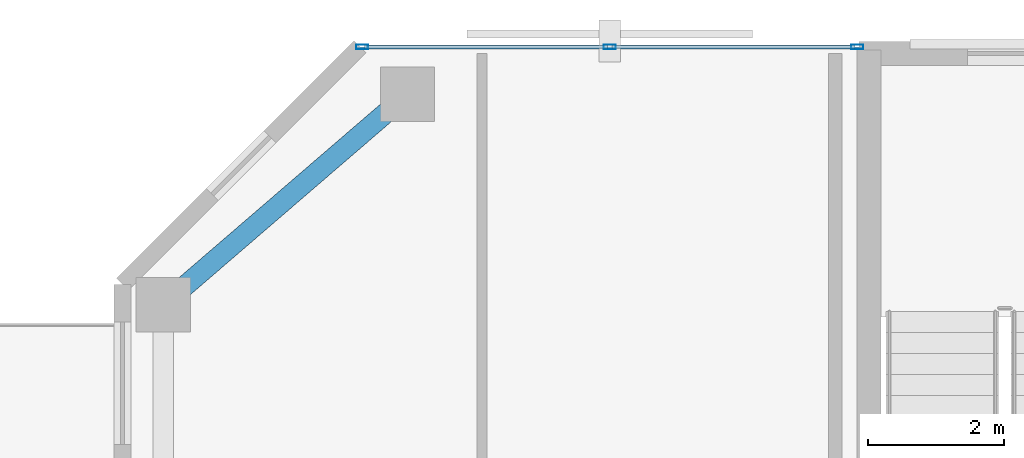
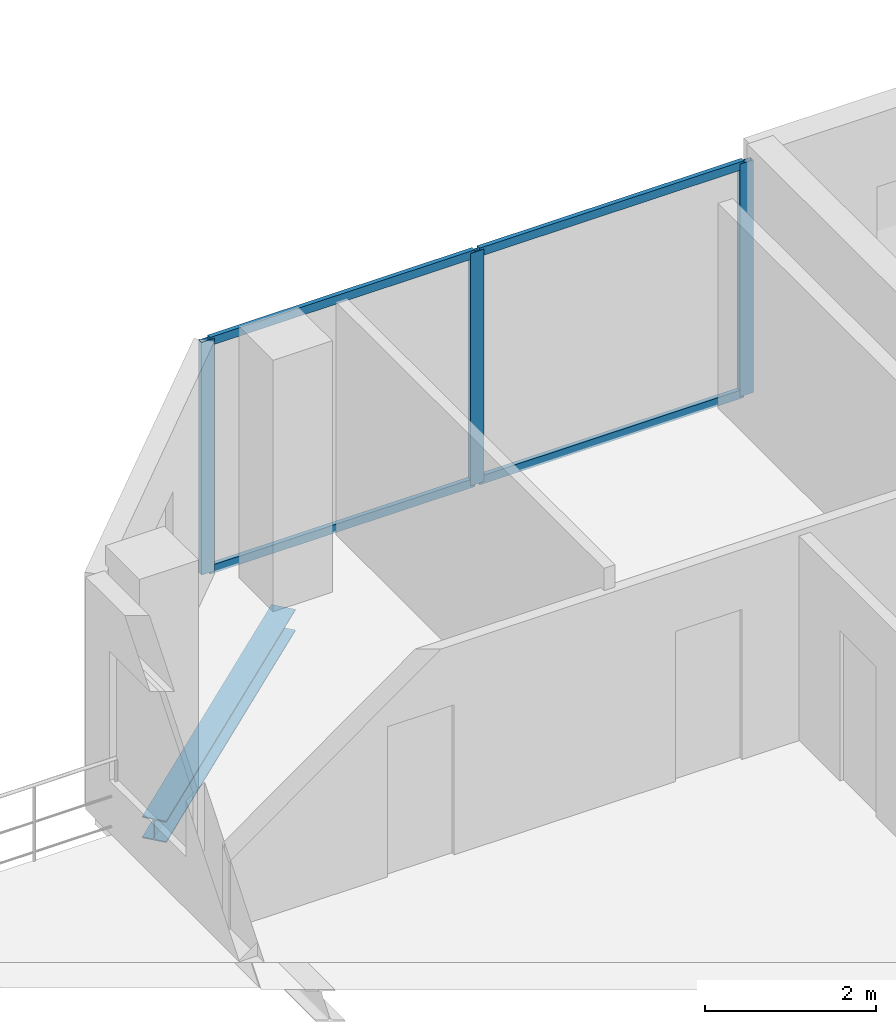
# One storey, part 15 of 24: 7 members, 1 beam, 1 element without a shape of its own.
"""IFC4 building model written with IfcOpenShell, lengths in metres."""

from ifc_helpers import new_model, si_unit, direction, frame, origin, origin_2d, place, context, subcontext, project, spatial, hollow_rectangle, i_section, extrude, material, layer, layer_set, material_profile, profile_set, type_object, element, aggregate, save


model = new_model("IFC4")

# Units and contexts
model_context = context("Model", 3, precision=1e-05, world=origin(), true_north=direction((0.0, 1.0)))
body_context = subcontext(model_context, "Body", "Model", "MODEL_VIEW")
ifc_project = project(units=[si_unit("LENGTHUNIT", "METRE"), si_unit("AREAUNIT", "SQUARE_METRE"), si_unit("VOLUMEUNIT", "CUBIC_METRE"), si_unit("PLANEANGLEUNIT", "RADIAN"), si_unit("MASSUNIT", "GRAM", prefix="KILO")], contexts=[model_context])

# Site, building, storey
site_placement = place(None, origin())
site = spatial("IfcSite", under=ifc_project, at=site_placement, CompositionType="ELEMENT")
building_placement = place(site_placement, origin())
building = spatial("IfcBuilding", under=site, at=building_placement, Name="Catumbela Crestline Tower", CompositionType="ELEMENT")
storey_placement = place(building_placement, frame((0.0, 0.0, 154.2)))
storey = spatial("IfcBuildingStorey", under=building, at=storey_placement, Name="L39", CompositionType="ELEMENT", Elevation=154.2)

# Curtain wall, members
ifc_material_1 = material(Name="Aluminium alloy AW-6060-T66", Category="aluminium")
ifc_layer = layer(ifc_material_1, 0.18, Name="Aluminium alloy AW-6060-T66")
ifc_layer_set = layer_set([ifc_layer], Name="Aluminium alloy AW-6060-T66")
curtain_wall_type = type_object("IfcCurtainWallType", Name="CWU-Z3", PredefinedType="USERDEFINED", material=ifc_layer_set)
curtain_wall_placement = place(storey_placement, origin())
curtain_wall = element("IfcCurtainWall", 1, at=curtain_wall_placement, inside=storey, type_object=curtain_wall_type, Name="L39 Unitised Curtain Wall CW-L39-E7S2", ObjectType="UNITISED", PredefinedType="USERDEFINED")
ifc_material_profile_1 = material_profile(ifc_material_1, hollow_rectangle(XDim=0.065, YDim=0.18, WallThickness=0.004, at=origin_2d()), Name="ALU 180x65x4")
ifc_profile_set_1 = profile_set([ifc_material_profile_1], Name="Aluminium alloy AW-6060-T66")
member_type_1 = type_object("IfcMemberType", Name="MUL-180X65", PredefinedType="MULLION", material=ifc_profile_set_1)
member_1_placement = place(storey_placement, frame((15.8275, 43.0, 0.0), z_axis=(0.0, 0.0, 1.0), x_axis=(0.0, -1.0, 0.0)))
member_1 = element("IfcMember", 2, at=member_1_placement, type_object=member_type_1, Name="CWU-Z3 mullion 1", PredefinedType="MULLION", context=body_context, shape_type="SweptSolid", body=[
    extrude(hollow_rectangle(XDim=0.065, YDim=0.18, WallThickness=0.004, at=origin_2d()), origin(), (0.0, 0.0, 1.0), 3.33),
])
member_2_placement = place(storey_placement, frame((12.18, 43.0, 0.0), z_axis=(0.0, 0.0, 1.0), x_axis=(0.0, -1.0, 0.0)))
member_2 = element("IfcMember", 3, at=member_2_placement, type_object=member_type_1, Name="CWU-Z3 mullion 2", PredefinedType="MULLION", context=body_context, shape_type="SweptSolid", body=[
    extrude(hollow_rectangle(XDim=0.065, YDim=0.18, WallThickness=0.004, at=origin_2d()), origin(), (0.0, 0.0, 1.0), 3.33),
])
member_3_placement = place(storey_placement, frame((8.5325, 43.0, 0.0), z_axis=(0.0, 0.0, 1.0), x_axis=(0.0, -1.0, 0.0)))
member_3 = element("IfcMember", 4, at=member_3_placement, type_object=member_type_1, Name="CWU-Z3 mullion 3", PredefinedType="MULLION", context=body_context, shape_type="SweptSolid", body=[
    extrude(hollow_rectangle(XDim=0.065, YDim=0.18, WallThickness=0.004, at=origin_2d()), origin(), (0.0, 0.0, 1.0), 3.33),
])

# Beam
ifc_material_2 = material(Name="Structural steel S355J2", Category="steel")
ifc_material_profile_2 = material_profile(ifc_material_2, i_section(OverallWidth=0.3, OverallDepth=0.31, WebThickness=0.009, FlangeThickness=0.0155, FilletRadius=0.027, at=origin_2d()), Name="HEA 320")
ifc_profile_set_2 = profile_set([ifc_material_profile_2], Name="Structural steel S355J2")
beam_type = type_object("IfcBeamType", Name="BS-HEA320", PredefinedType="SPANDREL", material=ifc_profile_set_2)
beam_placement = place(storey_placement, frame((5.6606, 39.2522, -0.415), z_axis=(0.757772392559, 0.652518966066, 0.0), x_axis=(-0.652518966066, 0.757772392559, 0.0)))
element("IfcBeam", 5, at=beam_placement, inside=storey, type_object=beam_type, Name="L39 Spandrel SP-L39-N10", PredefinedType="SPANDREL", context=body_context, shape_type="SweptSolid", body=[
    extrude(i_section(OverallWidth=0.3, OverallDepth=0.31, WebThickness=0.009, FlangeThickness=0.0155, FilletRadius=0.027, at=origin_2d()), origin(), (0.0, 0.0, 1.0), 4.5908),
])

# Member
ifc_material_profile_3 = material_profile(ifc_material_1, hollow_rectangle(XDim=0.06, YDim=0.12, WallThickness=0.0035, at=origin_2d()), Name="ALU 120x60x3.5")
ifc_profile_set_3 = profile_set([ifc_material_profile_3], Name="Aluminium alloy AW-6060-T66")
member_type_2 = type_object("IfcMemberType", Name="TRN-120X60", PredefinedType="USERDEFINED", material=ifc_profile_set_3)
member_4_placement = place(storey_placement, frame((15.795, 43.0, 0.03), z_axis=(-1.0, 0.0, 0.0), x_axis=(0.0, -1.0, 0.0)))
member_4 = element("IfcMember", 6, at=member_4_placement, type_object=member_type_2, Name="CWU-Z3 transom 1.1", ObjectType="TRANSOM", PredefinedType="USERDEFINED", context=body_context, shape_type="SweptSolid", body=[
    extrude(hollow_rectangle(XDim=0.06, YDim=0.12, WallThickness=0.0035, at=origin_2d()), origin(), (0.0, 0.0, 1.0), 3.5825),
])

member_5_placement = place(storey_placement, frame((15.795, 43.0, 3.3), z_axis=(-1.0, 0.0, 0.0), x_axis=(0.0, -1.0, 0.0)))
member_5 = element("IfcMember", 7, at=member_5_placement, type_object=member_type_2, Name="CWU-Z3 transom 1.2", ObjectType="TRANSOM", PredefinedType="USERDEFINED", context=body_context, shape_type="SweptSolid", body=[
    extrude(hollow_rectangle(XDim=0.06, YDim=0.12, WallThickness=0.0035, at=origin_2d()), origin(), (0.0, 0.0, 1.0), 3.5825),
])

member_6_placement = place(storey_placement, frame((12.1475, 43.0, 0.03), z_axis=(-1.0, 0.0, 0.0), x_axis=(0.0, -1.0, 0.0)))
member_6 = element("IfcMember", 8, at=member_6_placement, type_object=member_type_2, Name="CWU-Z3 transom 2.1", ObjectType="TRANSOM", PredefinedType="USERDEFINED", context=body_context, shape_type="SweptSolid", body=[
    extrude(hollow_rectangle(XDim=0.06, YDim=0.12, WallThickness=0.0035, at=origin_2d()), origin(), (0.0, 0.0, 1.0), 3.5825),
])

member_7_placement = place(storey_placement, frame((12.1475, 43.0, 3.3), z_axis=(-1.0, 0.0, 0.0), x_axis=(0.0, -1.0, 0.0)))
member_7 = element("IfcMember", 9, at=member_7_placement, type_object=member_type_2, Name="CWU-Z3 transom 2.2", ObjectType="TRANSOM", PredefinedType="USERDEFINED", context=body_context, shape_type="SweptSolid", body=[
    extrude(hollow_rectangle(XDim=0.06, YDim=0.12, WallThickness=0.0035, at=origin_2d()), origin(), (0.0, 0.0, 1.0), 3.5825),
])

aggregate(curtain_wall, [member_1, member_2, member_3, member_4, member_5, member_6, member_7])

save(model, "model.ifc")
